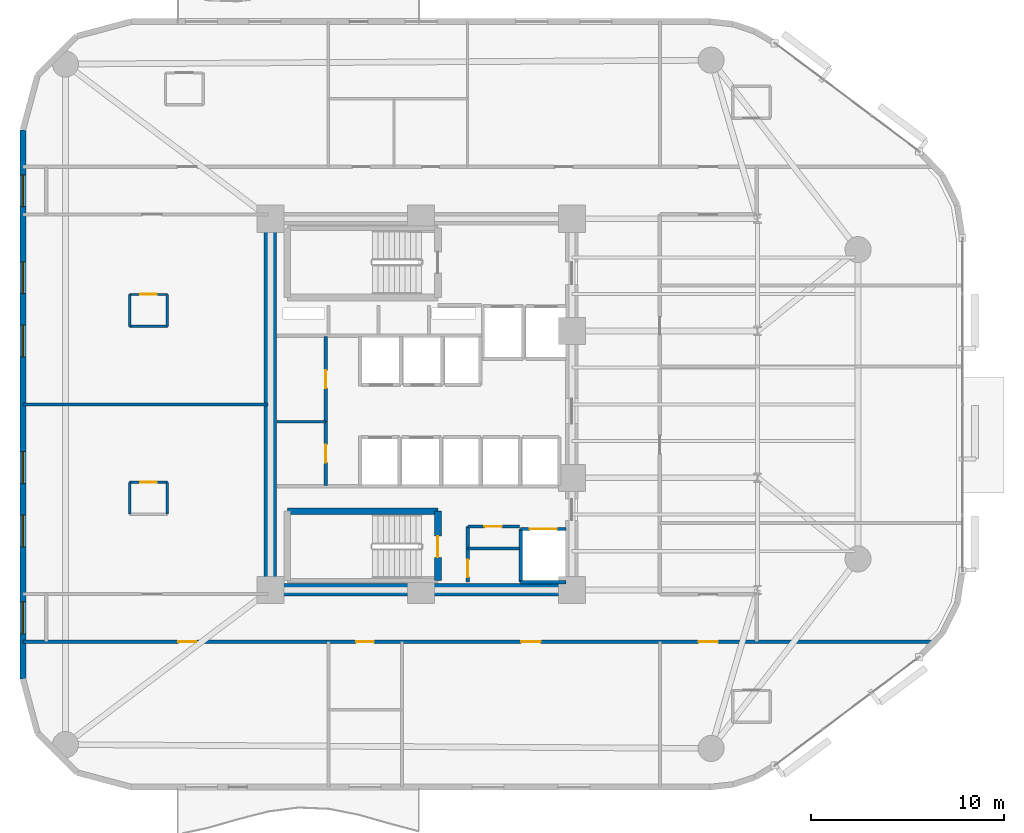
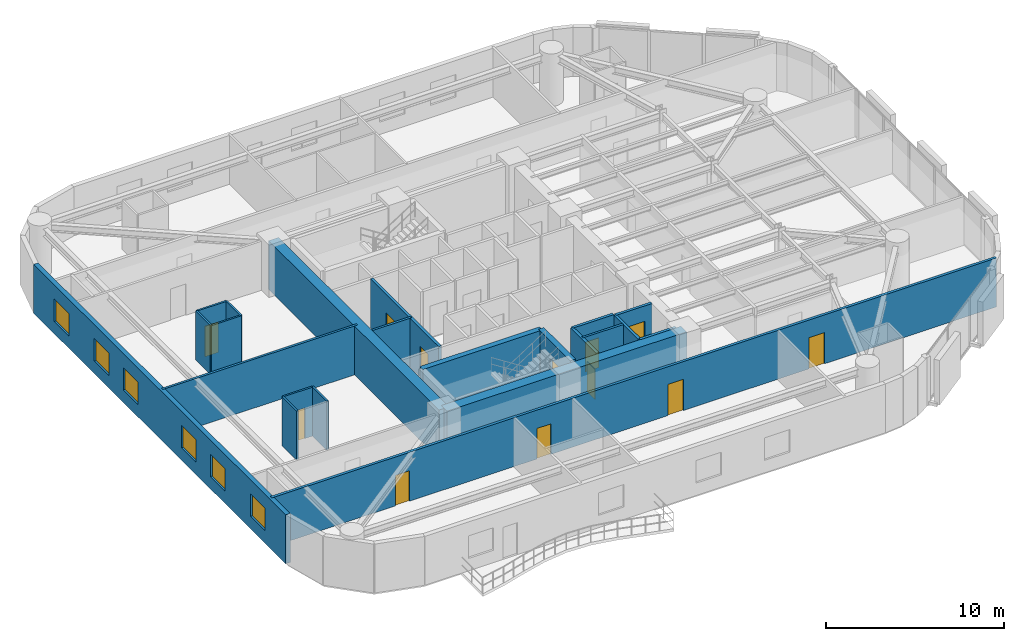
# One storey, part 10 of 15: 23 walls, 12 doors, 6 windows, 18 openings.
"""IFC4 building model written with IfcOpenShell, lengths in metres."""

from ifc_helpers import new_model, si_unit, direction, frame, frame_2d, origin, place, context, subcontext, project, spatial, rectangle, extrude, material, layer, layer_set, type_object, element, fill, save


model = new_model("IFC4")

# Units and contexts
model_context = context("Model", 3, precision=1e-05, world=origin(), true_north=direction((0.0, 1.0)))
body_context = subcontext(model_context, "Body", "Model", "MODEL_VIEW")
ifc_project = project(units=[si_unit("LENGTHUNIT", "METRE"), si_unit("AREAUNIT", "SQUARE_METRE"), si_unit("VOLUMEUNIT", "CUBIC_METRE"), si_unit("PLANEANGLEUNIT", "RADIAN"), si_unit("MASSUNIT", "GRAM", prefix="KILO")], contexts=[model_context])

# Site, building, storey
site_placement = place(None, origin())
site = spatial("IfcSite", under=ifc_project, at=site_placement, CompositionType="ELEMENT")
building_placement = place(site_placement, origin())
building = spatial("IfcBuilding", under=site, at=building_placement, Name="An Khanh Terracotta Commons", CompositionType="ELEMENT")
storey_placement = place(building_placement, frame((0.0, 0.0, 129.5)))
storey = spatial("IfcBuildingStorey", under=building, at=storey_placement, Name="L34", CompositionType="ELEMENT", Elevation=129.5)

# Walls
ifc_material_1 = material(Name="Concrete C60/75", Category="concrete")
ifc_layer_1 = layer(ifc_material_1, 0.64990234375, Name="Concrete C60/75")
ifc_layer_set_1 = layer_set([ifc_layer_1], Name="Concrete C60/75")
wall_type_1 = type_object("IfcWallType", Name="WALL-CORE-650", PredefinedType="SHEAR", material=ifc_layer_set_1)
wall_1_placement = place(storey_placement, frame((21.60009765625, 14.39990234375, 0.0), z_axis=(0.0, 0.0, 1.0), x_axis=(0.0, 1.0, 0.0)))
element("IfcWall", 1, at=wall_1_placement, inside=storey, type_object=wall_type_1, Name="L34 Core Wall CWALL-L34-W", PredefinedType="SHEAR", context=body_context, shape_type="SweptSolid", body=[
    extrude(rectangle(XDim=19.2001953125, YDim=0.64990234375, at=frame_2d((9.60009765625, 0.0))), origin(), (0.0, 0.0, 1.0), 3.360107421875),
])
wall_2_placement = place(storey_placement, frame((37.199951171875, 14.39990234375, 0.0), z_axis=(0.0, 0.0, 1.0), x_axis=(-1.0, 0.0, 0.0)))
element("IfcWall", 2, at=wall_2_placement, inside=storey, type_object=wall_type_1, Name="L34 Core Wall CWALL-L34-S", PredefinedType="SHEAR", context=body_context, shape_type="SweptSolid", body=[
    extrude(rectangle(XDim=15.599853515625, YDim=0.64990234375, at=frame_2d((7.7998046875, 0.0))), origin(), (0.0, 0.0, 1.0), 3.360107421875),
])

# Wall, opening, door
ifc_material_2 = material(Name="Fire-Rated Gypsum Board on Steel Stud", Category="steel")
ifc_layer_2 = layer(ifc_material_2, 0.179931640625, Name="Fire-Rated Gypsum Board on Steel Stud")
ifc_layer_set_2 = layer_set([ifc_layer_2], Name="Fire-Rated Gypsum Board on Steel Stud")
wall_type_2 = type_object("IfcWallType", Name="WALL-CORR-180", PredefinedType="PARTITIONING", material=ifc_layer_set_2)
wall_3_placement = place(storey_placement, frame((31.820068359375, 17.679931640625, 0.0), z_axis=(0.0, 0.0, 1.0), x_axis=(1.0, 0.0, 0.0)))
wall_3 = element("IfcWall", 3, at=wall_3_placement, inside=storey, type_object=wall_type_2, Name="L34 Core Wall SSVCW-L34-N", PredefinedType="PARTITIONING", context=body_context, shape_type="SweptSolid", body=[
    extrude(rectangle(XDim=2.659912109375, YDim=0.179931640625, at=frame_2d((1.330078125, 0.0))), origin(), (0.0, 0.0, 1.0), 3.360107421875),
])
opening_1_placement = place(wall_3_placement, frame((0.85009765625, 0.0, 0.0)))
opening_1 = element("IfcOpeningElement", 4, at=opening_1_placement, cuts=wall_3, Name="Opening D-SV", PredefinedType="OPENING", context=body_context, shape_type="SweptSolid", body=[
    extrude(rectangle(XDim=0.89990234375, YDim=2.050048828125, at=frame_2d((0.449951171875, 1.02490234375))), frame((0.0, 0.099853515625, 0.0), z_axis=(0.0, -1.0, 0.0), x_axis=(1.0, 0.0, 0.0)), (0.0, 0.0, 1.0), 0.199951171875),
])
ifc_material_3 = material(Name="Fire-Rated Powder-Coated Steel Door", Category="steel")
door_type_1 = type_object("IfcDoorType", Name="DOOR-SERV-900", OperationType="NOTDEFINED", PredefinedType="DOOR", material=ifc_material_3)
door_1_placement = place(opening_1_placement, origin())
door_1 = element("IfcDoor", 5, at=door_1_placement, inside=storey, type_object=door_type_1, Name="L34 Core Cleaner Store Door", OperationType="SINGLE_SWING_RIGHT", OverallHeight=2.050048828125, OverallWidth=0.89990234375, PredefinedType="DOOR", context=body_context, shape_type="SweptSolid", body=[
    extrude(rectangle(XDim=0.89990234375, YDim=2.050048828125, at=frame_2d((0.449951171875, 1.02490234375))), frame((0.0, 0.02490234375, 0.0), z_axis=(0.0, -1.0, 0.0), x_axis=(1.0, 0.0, 0.0)), (0.0, 0.0, 1.0), 0.050048828125),
])
fill(opening_1, door_1)

wall_4_placement = place(storey_placement, frame((31.820068359375, 14.800048828125, 0.0), z_axis=(0.0, 0.0, 1.0), x_axis=(0.0, 1.0, 0.0)))
wall_4 = element("IfcWall", 6, at=wall_4_placement, inside=storey, type_object=wall_type_2, Name="L34 Core Wall SSVCW-L34-W", PredefinedType="PARTITIONING", context=body_context, shape_type="SweptSolid", body=[
    extrude(rectangle(XDim=2.8798828125, YDim=0.179931640625, at=frame_2d((1.43994140625, 0.0))), origin(), (0.0, 0.0, 1.0), 3.360107421875),
])
opening_2_placement = place(wall_4_placement, frame((0.260009765625, 0.0, 0.0)))
opening_2 = element("IfcOpeningElement", 7, at=opening_2_placement, cuts=wall_4, Name="Opening D-SV", PredefinedType="OPENING", context=body_context, shape_type="SweptSolid", body=[
    extrude(rectangle(XDim=0.89990234375, YDim=2.050048828125, at=frame_2d((0.449951171875, 1.02490234375))), frame((0.0, 0.099853515625, 0.0), z_axis=(0.0, -1.0, 0.0), x_axis=(1.0, 0.0, 0.0)), (0.0, 0.0, 1.0), 0.199951171875),
])
door_2_placement = place(opening_2_placement, origin())
door_2 = element("IfcDoor", 8, at=door_2_placement, inside=storey, type_object=door_type_1, Name="L34 Telecoms BMS Cupboard Door", OperationType="SINGLE_SWING_LEFT", OverallHeight=2.050048828125, OverallWidth=0.89990234375, PredefinedType="DOOR", context=body_context, shape_type="SweptSolid", body=[
    extrude(rectangle(XDim=0.89990234375, YDim=2.050048828125, at=frame_2d((0.449951171875, 1.02490234375))), frame((0.0, 0.02490234375, 0.0), z_axis=(0.0, -1.0, 0.0), x_axis=(1.0, 0.0, 0.0)), (0.0, 0.0, 1.0), 0.050048828125),
])
fill(opening_2, door_2)

wall_5_placement = place(storey_placement, frame((34.550048828125, 17.550048828125, 0.0), z_axis=(0.0, 0.0, 1.0), x_axis=(1.0, 0.0, 0.0)))
wall_5 = element("IfcWall", 9, at=wall_5_placement, inside=storey, type_object=wall_type_2, Name="L34 Core Wall LSH-L34-SVL-01-N", PredefinedType="PARTITIONING", context=body_context, shape_type="SweptSolid", body=[
    extrude(rectangle(XDim=2.349853515625, YDim=0.179931640625, at=frame_2d((1.1748046875, 0.0))), origin(), (0.0, 0.0, 1.0), 3.360107421875),
])
opening_3_placement = place(wall_5_placement, frame((0.47509765625, 0.0, 0.0)))
opening_3 = element("IfcOpeningElement", 10, at=opening_3_placement, cuts=wall_5, Name="Opening LD-SVL-01-L34", PredefinedType="OPENING", context=body_context, shape_type="SweptSolid", body=[
    extrude(rectangle(XDim=1.39990234375, YDim=2.300048828125, at=frame_2d((0.699951171875, 1.14990234375))), frame((0.0, 0.099853515625, 0.0), z_axis=(0.0, -1.0, 0.0), x_axis=(1.0, 0.0, 0.0)), (0.0, 0.0, 1.0), 0.199951171875),
])
ifc_material_4 = material(Name="Heavy-Duty Stainless Steel Goods Landing Door", Category="steel")
door_type_2 = type_object("IfcDoorType", Name="DOOR-LD-SVL-1400", OperationType="NOTDEFINED", PredefinedType="DOOR", material=ifc_material_4)
door_3_placement = place(opening_3_placement, origin())
door_3 = element("IfcDoor", 11, at=door_3_placement, inside=storey, type_object=door_type_2, Name="L34 Lift SVL-01 Sliding Landing Door", OperationType="DOUBLE_DOOR_SLIDING", OverallHeight=2.300048828125, OverallWidth=1.39990234375, PredefinedType="DOOR", context=body_context, shape_type="SweptSolid", body=[
    extrude(rectangle(XDim=1.39990234375, YDim=2.300048828125, at=frame_2d((0.699951171875, 1.14990234375))), frame((0.0, 0.02490234375, 0.0), z_axis=(0.0, -1.0, 0.0), x_axis=(1.0, 0.0, 0.0)), (0.0, 0.0, 1.0), 0.050048828125),
])
fill(opening_3, door_3)

# Walls
wall_6_placement = place(storey_placement, frame((36.89990234375, 14.800048828125, 0.0), z_axis=(0.0, 0.0, 1.0), x_axis=(-1.0, 0.0, 0.0)))
element("IfcWall", 12, at=wall_6_placement, inside=storey, type_object=wall_type_2, Name="L34 Core Wall LSH-L34-SVL-01-S", PredefinedType="PARTITIONING", context=body_context, shape_type="SweptSolid", body=[
    extrude(rectangle(XDim=2.349853515625, YDim=0.179931640625, at=frame_2d((1.1748046875, 0.0))), origin(), (0.0, 0.0, 1.0), 3.360107421875),
])
wall_7_placement = place(storey_placement, frame((34.550048828125, 17.550048828125, 0.0), z_axis=(0.0, 0.0, 1.0), x_axis=(0.0, -1.0, 0.0)))
element("IfcWall", 13, at=wall_7_placement, inside=storey, type_object=wall_type_2, Name="L34 Core Wall LSH-L34-SVL-01-W", PredefinedType="PARTITIONING", context=body_context, shape_type="SweptSolid", body=[
    extrude(rectangle(XDim=2.75, YDim=0.179931640625, at=frame_2d((1.375, 0.0))), origin(), (0.0, 0.0, 1.0), 3.360107421875),
])

# Wall, opening, door
wall_8_placement = place(storey_placement, frame((24.4599609375, 23.10009765625, 0.0), z_axis=(0.0, 0.0, 1.0), x_axis=(0.0, 1.0, 0.0)))
wall_8 = element("IfcWall", 14, at=wall_8_placement, inside=storey, type_object=wall_type_2, Name="L34 Core Wall RECW-L34-E1", PredefinedType="PARTITIONING", context=body_context, shape_type="SweptSolid", body=[
    extrude(rectangle(XDim=4.39990234375, YDim=0.179931640625, at=frame_2d((2.199951171875, 0.0))), origin(), (0.0, 0.0, 1.0), 3.360107421875),
])
opening_4_placement = place(wall_8_placement, frame((1.739990234375, 0.0, 0.0)))
opening_4 = element("IfcOpeningElement", 15, at=opening_4_placement, cuts=wall_8, Name="Opening D-RM", PredefinedType="OPENING", context=body_context, shape_type="SweptSolid", body=[
    extrude(rectangle(XDim=0.919921875, YDim=2.10009765625, at=frame_2d((0.4599609375, 1.050048828125))), frame((0.0, 0.099853515625, 0.0), z_axis=(0.0, -1.0, 0.0), x_axis=(1.0, 0.0, 0.0)), (0.0, 0.0, 1.0), 0.199951171875),
])
ifc_material_5 = material(Name="Engineered Hardwood Timber Leaf", Category="wood")
door_type_3 = type_object("IfcDoorType", Name="DOOR-INT-920", OperationType="NOTDEFINED", PredefinedType="DOOR", material=ifc_material_5)
door_4_placement = place(opening_4_placement, origin())
door_4 = element("IfcDoor", 16, at=door_4_placement, inside=storey, type_object=door_type_3, Name="L34 Housekeeping Linen Room Door", OperationType="SINGLE_SWING_RIGHT", OverallHeight=2.10009765625, OverallWidth=0.919921875, PredefinedType="DOOR", context=body_context, shape_type="SweptSolid", body=[
    extrude(rectangle(XDim=0.919921875, YDim=2.10009765625, at=frame_2d((0.4599609375, 1.050048828125))), frame((0.0, 0.02490234375, 0.0), z_axis=(0.0, -1.0, 0.0), x_axis=(1.0, 0.0, 0.0)), (0.0, 0.0, 1.0), 0.050048828125),
])
fill(opening_4, door_4)

wall_9_placement = place(storey_placement, frame((24.4599609375, 19.800048828125, 0.0), z_axis=(0.0, 0.0, 1.0), x_axis=(0.0, 1.0, 0.0)))
wall_9 = element("IfcWall", 17, at=wall_9_placement, inside=storey, type_object=wall_type_2, Name="L34 Core Wall RECW-L34-E2", PredefinedType="PARTITIONING", context=body_context, shape_type="SweptSolid", body=[
    extrude(rectangle(XDim=3.300048828125, YDim=0.179931640625, at=frame_2d((1.64990234375, 0.0))), origin(), (0.0, 0.0, 1.0), 3.360107421875),
])
opening_5_placement = place(wall_9_placement, frame((1.18994140625, 0.0, 0.0)))
opening_5 = element("IfcOpeningElement", 18, at=opening_5_placement, cuts=wall_9, Name="Opening D-RM", PredefinedType="OPENING", context=body_context, shape_type="SweptSolid", body=[
    extrude(rectangle(XDim=0.919921875, YDim=2.10009765625, at=frame_2d((0.4599609375, 1.050048828125))), frame((0.0, 0.099853515625, 0.0), z_axis=(0.0, -1.0, 0.0), x_axis=(1.0, 0.0, 0.0)), (0.0, 0.0, 1.0), 0.199951171875),
])
door_5_placement = place(opening_5_placement, origin())
door_5 = element("IfcDoor", 19, at=door_5_placement, inside=storey, type_object=door_type_3, Name="L34 Quiet Focus Booth Door", OperationType="SINGLE_SWING_LEFT", OverallHeight=2.10009765625, OverallWidth=0.919921875, PredefinedType="DOOR", context=body_context, shape_type="SweptSolid", body=[
    extrude(rectangle(XDim=0.919921875, YDim=2.10009765625, at=frame_2d((0.4599609375, 1.050048828125))), frame((0.0, 0.02490234375, 0.0), z_axis=(0.0, -1.0, 0.0), x_axis=(1.0, 0.0, 0.0)), (0.0, 0.0, 1.0), 0.050048828125),
])
fill(opening_5, door_5)

# Wall, openings, doors
wall_10_placement = place(storey_placement, frame((8.800048828125, 11.719970703125, 0.0), z_axis=(0.0, 0.0, 1.0), x_axis=(1.0, 0.0, 0.0)))
wall_10 = element("IfcWall", 20, at=wall_10_placement, inside=storey, type_object=wall_type_2, Name="L34 Interior Partition IW-L34-E002", PredefinedType="PARTITIONING", context=body_context, shape_type="SweptSolid", body=[
    extrude(rectangle(XDim=47.140869140625, YDim=0.179931640625, at=frame_2d((23.5703125, 0.0))), origin(), (0.0, 0.0, 1.0), 3.360107421875),
])
opening_6_placement = place(wall_10_placement, frame((17.239990234375, 0.0, 0.0)))
opening_6 = element("IfcOpeningElement", 21, at=opening_6_placement, cuts=wall_10, Name="Opening D-RM", PredefinedType="OPENING", context=body_context, shape_type="SweptSolid", body=[
    extrude(rectangle(XDim=0.919921875, YDim=2.10009765625, at=frame_2d((0.4599609375, 1.050048828125))), frame((0.0, 0.099853515625, 0.0), z_axis=(0.0, -1.0, 0.0), x_axis=(1.0, 0.0, 0.0)), (0.0, 0.0, 1.0), 0.199951171875),
])
opening_7_placement = place(wall_10_placement, frame((34.949951171875, 0.0, 0.0)))
opening_7 = element("IfcOpeningElement", 22, at=opening_7_placement, cuts=wall_10, Name="Opening D-UN", PredefinedType="OPENING", context=body_context, shape_type="SweptSolid", body=[
    extrude(rectangle(XDim=1.0, YDim=2.14990234375, at=frame_2d((0.5, 1.074951171875))), frame((0.0, 0.099853515625, 0.0), z_axis=(0.0, -1.0, 0.0), x_axis=(1.0, 0.0, 0.0)), (0.0, 0.0, 1.0), 0.199951171875),
])
opening_8_placement = place(wall_10_placement, frame((8.0400390625, 0.0, 0.0)))
opening_8 = element("IfcOpeningElement", 23, at=opening_8_placement, cuts=wall_10, Name="Opening D-RM", PredefinedType="OPENING", context=body_context, shape_type="SweptSolid", body=[
    extrude(rectangle(XDim=0.919921875, YDim=2.10009765625, at=frame_2d((0.4599609375, 1.050048828125))), frame((0.0, 0.099853515625, 0.0), z_axis=(0.0, -1.0, 0.0), x_axis=(1.0, 0.0, 0.0)), (0.0, 0.0, 1.0), 0.199951171875),
])
opening_9_placement = place(wall_10_placement, frame((25.77490234375, 0.0, 0.0)))
opening_9 = element("IfcOpeningElement", 24, at=opening_9_placement, cuts=wall_10, Name="Opening D-UN", PredefinedType="OPENING", context=body_context, shape_type="SweptSolid", body=[
    extrude(rectangle(XDim=1.0, YDim=2.14990234375, at=frame_2d((0.5, 1.074951171875))), frame((0.0, 0.099853515625, 0.0), z_axis=(0.0, -1.0, 0.0), x_axis=(1.0, 0.0, 0.0)), (0.0, 0.0, 1.0), 0.199951171875),
])
door_6_placement = place(opening_6_placement, origin())
door_6 = element("IfcDoor", 25, at=door_6_placement, inside=storey, type_object=door_type_3, Name="L34 HKP Housekeeping Linen Store Door", OperationType="SINGLE_SWING_LEFT", OverallHeight=2.10009765625, OverallWidth=0.919921875, PredefinedType="DOOR", context=body_context, shape_type="SweptSolid", body=[
    extrude(rectangle(XDim=0.919921875, YDim=2.10009765625, at=frame_2d((0.4599609375, 1.050048828125))), frame((0.0, 0.02490234375, 0.0), z_axis=(0.0, -1.0, 0.0), x_axis=(1.0, 0.0, 0.0)), (0.0, 0.0, 1.0), 0.050048828125),
])
fill(opening_6, door_6)
door_7_placement = place(opening_8_placement, origin())
door_7 = element("IfcDoor", 26, at=door_7_placement, inside=storey, type_object=door_type_3, Name="L34 SW1 Music Practice Room Door", OperationType="SINGLE_SWING_RIGHT", OverallHeight=2.10009765625, OverallWidth=0.919921875, PredefinedType="DOOR", context=body_context, shape_type="SweptSolid", body=[
    extrude(rectangle(XDim=0.919921875, YDim=2.10009765625, at=frame_2d((0.4599609375, 1.050048828125))), frame((0.0, 0.02490234375, 0.0), z_axis=(0.0, -1.0, 0.0), x_axis=(1.0, 0.0, 0.0)), (0.0, 0.0, 1.0), 0.050048828125),
])
fill(opening_8, door_7)
ifc_material_6 = material(Name="Solid-Core Hardwood Acoustic Fire Door", Category="wood")
door_type_4 = type_object("IfcDoorType", Name="DOOR-UNIT-1000", OperationType="NOTDEFINED", PredefinedType="DOOR", material=ifc_material_6)
door_8_placement = place(opening_7_placement, origin())
door_8 = element("IfcDoor", 27, at=door_8_placement, inside=storey, type_object=door_type_4, Name="L34 FANS Kitchenette and Studio Apartment Door", OperationType="SINGLE_SWING_LEFT", OverallHeight=2.14990234375, OverallWidth=1.0, PredefinedType="DOOR", context=body_context, shape_type="SweptSolid", body=[
    extrude(rectangle(XDim=1.0, YDim=2.14990234375, at=frame_2d((0.5, 1.074951171875))), frame((0.0, 0.02490234375, 0.0), z_axis=(0.0, -1.0, 0.0), x_axis=(1.0, 0.0, 0.0)), (0.0, 0.0, 1.0), 0.050048828125),
])
fill(opening_7, door_8)
door_9_placement = place(opening_9_placement, origin())
door_9 = element("IfcDoor", 28, at=door_9_placement, inside=storey, type_object=door_type_4, Name="L34 SWE Yoga Studio Door", OperationType="SINGLE_SWING_LEFT", OverallHeight=2.14990234375, OverallWidth=1.0, PredefinedType="DOOR", context=body_context, shape_type="SweptSolid", body=[
    extrude(rectangle(XDim=1.0, YDim=2.14990234375, at=frame_2d((0.5, 1.074951171875))), frame((0.0, 0.02490234375, 0.0), z_axis=(0.0, -1.0, 0.0), x_axis=(1.0, 0.0, 0.0)), (0.0, 0.0, 1.0), 0.050048828125),
])
fill(opening_9, door_9)

# Wall, openings, windows
ifc_material_7 = material(Name="Precast concrete C40/50", Category="concrete")
ifc_layer_3 = layer(ifc_material_7, 0.300048828125, Name="Precast concrete C40/50")
ifc_layer_set_3 = layer_set([ifc_layer_3], Name="Precast concrete C40/50")
wall_type_3 = type_object("IfcWallType", Name="WALL-EXT-300", PredefinedType="SOLIDWALL", material=ifc_layer_set_3)
wall_11_placement = place(storey_placement, frame((8.800048828125, 38.199951171875, 0.0), z_axis=(0.0, 0.0, 1.0), x_axis=(0.0, -1.0, 0.0)))
wall_11 = element("IfcWall", 29, at=wall_11_placement, inside=storey, type_object=wall_type_3, Name="L34 Insulated Terracotta Exterior Wall 24", PredefinedType="SOLIDWALL", context=body_context, shape_type="SweptSolid", body=[
    extrude(rectangle(XDim=28.39990234375, YDim=0.300048828125, at=frame_2d((14.199951171875, 0.0))), origin(), (0.0, 0.0, 1.0), 3.360107421875),
])
opening_10_placement = place(wall_11_placement, frame((2.324951171875, 0.0, 0.85009765625)))
opening_10 = element("IfcOpeningElement", 30, at=opening_10_placement, cuts=wall_11, Name="Opening W-02", PredefinedType="OPENING", context=body_context, shape_type="SweptSolid", body=[
    extrude(rectangle(XDim=1.64990234375, YDim=1.550048828125, at=frame_2d((0.824951171875, 0.77490234375))), frame((0.0, 0.159912109375, 0.0), z_axis=(0.0, -1.0, 0.0), x_axis=(1.0, 0.0, 0.0)), (0.0, 0.0, 1.0), 0.320068359375),
])
opening_11_placement = place(wall_11_placement, frame((6.827880859375, 0.0, 0.85009765625)))
opening_11 = element("IfcOpeningElement", 31, at=opening_11_placement, cuts=wall_11, Name="Opening W-02", PredefinedType="OPENING", context=body_context, shape_type="SweptSolid", body=[
    extrude(rectangle(XDim=1.64990234375, YDim=1.550048828125, at=frame_2d((0.824951171875, 0.77490234375))), frame((0.0, 0.159912109375, 0.0), z_axis=(0.0, -1.0, 0.0), x_axis=(1.0, 0.0, 0.0)), (0.0, 0.0, 1.0), 0.320068359375),
])
opening_12_placement = place(wall_11_placement, frame((10.10205078125, 0.0, 0.85009765625)))
opening_12 = element("IfcOpeningElement", 32, at=opening_12_placement, cuts=wall_11, Name="Opening W-02", PredefinedType="OPENING", context=body_context, shape_type="SweptSolid", body=[
    extrude(rectangle(XDim=1.64990234375, YDim=1.550048828125, at=frame_2d((0.824951171875, 0.77490234375))), frame((0.0, 0.159912109375, 0.0), z_axis=(0.0, -1.0, 0.0), x_axis=(1.0, 0.0, 0.0)), (0.0, 0.0, 1.0), 0.320068359375),
])
opening_13_placement = place(wall_11_placement, frame((16.64794921875, 0.0, 0.85009765625)))
opening_13 = element("IfcOpeningElement", 33, at=opening_13_placement, cuts=wall_11, Name="Opening W-02", PredefinedType="OPENING", context=body_context, shape_type="SweptSolid", body=[
    extrude(rectangle(XDim=1.64990234375, YDim=1.550048828125, at=frame_2d((0.824951171875, 0.77490234375))), frame((0.0, 0.159912109375, 0.0), z_axis=(0.0, -1.0, 0.0), x_axis=(1.0, 0.0, 0.0)), (0.0, 0.0, 1.0), 0.320068359375),
])
opening_14_placement = place(wall_11_placement, frame((19.922119140625, 0.0, 0.85009765625)))
opening_14 = element("IfcOpeningElement", 34, at=opening_14_placement, cuts=wall_11, Name="Opening W-02", PredefinedType="OPENING", context=body_context, shape_type="SweptSolid", body=[
    extrude(rectangle(XDim=1.64990234375, YDim=1.550048828125, at=frame_2d((0.824951171875, 0.77490234375))), frame((0.0, 0.159912109375, 0.0), z_axis=(0.0, -1.0, 0.0), x_axis=(1.0, 0.0, 0.0)), (0.0, 0.0, 1.0), 0.320068359375),
])
opening_15_placement = place(wall_11_placement, frame((24.425048828125, 0.0, 0.85009765625)))
opening_15 = element("IfcOpeningElement", 35, at=opening_15_placement, cuts=wall_11, Name="Opening W-02", PredefinedType="OPENING", context=body_context, shape_type="SweptSolid", body=[
    extrude(rectangle(XDim=1.64990234375, YDim=1.550048828125, at=frame_2d((0.824951171875, 0.77490234375))), frame((0.0, 0.159912109375, 0.0), z_axis=(0.0, -1.0, 0.0), x_axis=(1.0, 0.0, 0.0)), (0.0, 0.0, 1.0), 0.320068359375),
])
ifc_material_8 = material(Name="Thermally Broken Aluminium and Low-E Glass", Category="aluminium")
window_type = type_object("IfcWindowType", Name="WIN-Z2-1650x1550", PartitioningType="DOUBLE_PANEL_VERTICAL", PredefinedType="WINDOW", material=ifc_material_8)
window_1_placement = place(opening_10_placement, origin())
window_1 = element("IfcWindow", 36, at=window_1_placement, inside=storey, type_object=window_type, Name="L34 Operable Casement Window 24.1", OverallHeight=1.550048828125, OverallWidth=1.64990234375, PartitioningType="DOUBLE_PANEL_VERTICAL", PredefinedType="WINDOW", context=body_context, shape_type="SweptSolid", body=[
    extrude(rectangle(XDim=1.64990234375, YDim=1.550048828125, at=frame_2d((0.824951171875, 0.77490234375))), frame((0.0, 0.030029296875, 0.0), z_axis=(0.0, -1.0, 0.0), x_axis=(1.0, 0.0, 0.0)), (0.0, 0.0, 1.0), 0.06005859375),
])
fill(opening_10, window_1)
window_2_placement = place(opening_11_placement, origin())
window_2 = element("IfcWindow", 37, at=window_2_placement, inside=storey, type_object=window_type, Name="L34 Operable Casement Window 24.2", OverallHeight=1.550048828125, OverallWidth=1.64990234375, PartitioningType="DOUBLE_PANEL_VERTICAL", PredefinedType="WINDOW", context=body_context, shape_type="SweptSolid", body=[
    extrude(rectangle(XDim=1.64990234375, YDim=1.550048828125, at=frame_2d((0.824951171875, 0.77490234375))), frame((0.0, 0.030029296875, 0.0), z_axis=(0.0, -1.0, 0.0), x_axis=(1.0, 0.0, 0.0)), (0.0, 0.0, 1.0), 0.06005859375),
])
fill(opening_11, window_2)
window_3_placement = place(opening_12_placement, origin())
window_3 = element("IfcWindow", 38, at=window_3_placement, inside=storey, type_object=window_type, Name="L34 Operable Casement Window 24.3", OverallHeight=1.550048828125, OverallWidth=1.64990234375, PartitioningType="DOUBLE_PANEL_VERTICAL", PredefinedType="WINDOW", context=body_context, shape_type="SweptSolid", body=[
    extrude(rectangle(XDim=1.64990234375, YDim=1.550048828125, at=frame_2d((0.824951171875, 0.77490234375))), frame((0.0, 0.030029296875, 0.0), z_axis=(0.0, -1.0, 0.0), x_axis=(1.0, 0.0, 0.0)), (0.0, 0.0, 1.0), 0.06005859375),
])
fill(opening_12, window_3)
window_4_placement = place(opening_13_placement, origin())
window_4 = element("IfcWindow", 39, at=window_4_placement, inside=storey, type_object=window_type, Name="L34 Operable Casement Window 24.4", OverallHeight=1.550048828125, OverallWidth=1.64990234375, PartitioningType="DOUBLE_PANEL_VERTICAL", PredefinedType="WINDOW", context=body_context, shape_type="SweptSolid", body=[
    extrude(rectangle(XDim=1.64990234375, YDim=1.550048828125, at=frame_2d((0.824951171875, 0.77490234375))), frame((0.0, 0.030029296875, 0.0), z_axis=(0.0, -1.0, 0.0), x_axis=(1.0, 0.0, 0.0)), (0.0, 0.0, 1.0), 0.06005859375),
])
fill(opening_13, window_4)
window_5_placement = place(opening_14_placement, origin())
window_5 = element("IfcWindow", 40, at=window_5_placement, inside=storey, type_object=window_type, Name="L34 Operable Casement Window 24.5", OverallHeight=1.550048828125, OverallWidth=1.64990234375, PartitioningType="DOUBLE_PANEL_VERTICAL", PredefinedType="WINDOW", context=body_context, shape_type="SweptSolid", body=[
    extrude(rectangle(XDim=1.64990234375, YDim=1.550048828125, at=frame_2d((0.824951171875, 0.77490234375))), frame((0.0, 0.030029296875, 0.0), z_axis=(0.0, -1.0, 0.0), x_axis=(1.0, 0.0, 0.0)), (0.0, 0.0, 1.0), 0.06005859375),
])
fill(opening_14, window_5)
window_6_placement = place(opening_15_placement, origin())
window_6 = element("IfcWindow", 41, at=window_6_placement, inside=storey, type_object=window_type, Name="L34 Operable Casement Window 24.6", OverallHeight=1.550048828125, OverallWidth=1.64990234375, PartitioningType="DOUBLE_PANEL_VERTICAL", PredefinedType="WINDOW", context=body_context, shape_type="SweptSolid", body=[
    extrude(rectangle(XDim=1.64990234375, YDim=1.550048828125, at=frame_2d((0.824951171875, 0.77490234375))), frame((0.0, 0.030029296875, 0.0), z_axis=(0.0, -1.0, 0.0), x_axis=(1.0, 0.0, 0.0)), (0.0, 0.0, 1.0), 0.06005859375),
])
fill(opening_15, window_6)

# Walls
ifc_material_9 = material(Name="Acoustic Gypsum Board Partition")
ifc_layer_4 = layer(ifc_material_9, 0.14990234375, Name="Acoustic Gypsum Board Partition")
ifc_layer_set_4 = layer_set([ifc_layer_4], Name="Acoustic Gypsum Board Partition")
wall_type_4 = type_object("IfcWallType", Name="WALL-PART-150", PredefinedType="PARTITIONING", material=ifc_layer_set_4)
wall_12_placement = place(storey_placement, frame((31.820068359375, 16.550048828125, 0.0), z_axis=(0.0, 0.0, 1.0), x_axis=(1.0, 0.0, 0.0)))
element("IfcWall", 42, at=wall_12_placement, inside=storey, type_object=wall_type_4, Name="L34 Core Wall SSVCW-L34-M", PredefinedType="PARTITIONING", context=body_context, shape_type="SweptSolid", body=[
    extrude(rectangle(XDim=2.659912109375, YDim=0.14990234375, at=frame_2d((1.330078125, 0.0))), origin(), (0.0, 0.0, 1.0), 3.360107421875),
])
wall_13_placement = place(storey_placement, frame((21.949951171875, 23.10009765625, 0.0), z_axis=(0.0, 0.0, 1.0), x_axis=(1.0, 0.0, 0.0)))
element("IfcWall", 43, at=wall_13_placement, inside=storey, type_object=wall_type_4, Name="L34 Core Wall RECW-L34-M", PredefinedType="PARTITIONING", context=body_context, shape_type="SweptSolid", body=[
    extrude(rectangle(XDim=2.510009765625, YDim=0.14990234375, at=frame_2d((1.2548828125, 0.0))), origin(), (0.0, 0.0, 1.0), 3.360107421875),
])
wall_14_placement = place(storey_placement, frame((8.800048828125, 24.0, 0.0), z_axis=(0.0, 0.0, 1.0), x_axis=(1.0, 0.0, 0.0)))
element("IfcWall", 44, at=wall_14_placement, inside=storey, type_object=wall_type_4, Name="L34 Interior Partition IW-L34-E006", PredefinedType="PARTITIONING", context=body_context, shape_type="SweptSolid", body=[
    extrude(rectangle(XDim=12.679931640625, YDim=0.14990234375, at=frame_2d((6.33984375, 0.0))), origin(), (0.0, 0.0, 1.0), 3.360107421875),
])
ifc_material_10 = material(Name="Concrete C50/60", Category="concrete")
ifc_layer_5 = layer(ifc_material_10, 0.35009765625, Name="Concrete C50/60")
ifc_layer_set_5 = layer_set([ifc_layer_5], Name="Concrete C50/60")
wall_type_5 = type_object("IfcWallType", Name="WALL-SHAFT-350", PredefinedType="SOLIDWALL", material=ifc_layer_set_5)
wall_15_placement = place(storey_placement, frame((22.47998046875, 18.469970703125, 0.0), z_axis=(0.0, 0.0, 1.0), x_axis=(1.0, 0.0, 0.0)))
element("IfcWall", 45, at=wall_15_placement, inside=storey, type_object=wall_type_5, Name="L34 Core Wall STW-L34-S-N", PredefinedType="SOLIDWALL", context=body_context, shape_type="SweptSolid", body=[
    extrude(rectangle(XDim=7.7900390625, YDim=0.35009765625, at=frame_2d((3.89501953125, 0.0))), origin(), (0.0, 0.0, 1.0), 3.360107421875),
])

# Wall, opening, door
wall_16_placement = place(storey_placement, frame((30.27001953125, 14.889892578125, 0.0), z_axis=(0.0, 0.0, 1.0), x_axis=(0.0, 1.0, 0.0)))
wall_16 = element("IfcWall", 46, at=wall_16_placement, inside=storey, type_object=wall_type_5, Name="L34 Core Wall STW-L34-S-E", PredefinedType="SOLIDWALL", context=body_context, shape_type="SweptSolid", body=[
    extrude(rectangle(XDim=3.580078125, YDim=0.35009765625, at=frame_2d((1.7900390625, 0.0))), origin(), (0.0, 0.0, 1.0), 3.360107421875),
])
opening_16_placement = place(wall_16_placement, frame((1.18994140625, 0.0, 0.0)))
opening_16 = element("IfcOpeningElement", 47, at=opening_16_placement, cuts=wall_16, Name="Opening D-ST", PredefinedType="OPENING", context=body_context, shape_type="SweptSolid", body=[
    extrude(rectangle(XDim=1.10009765625, YDim=2.14990234375, at=frame_2d((0.550048828125, 1.074951171875))), frame((0.0, 0.18505859375, 0.0), z_axis=(0.0, -1.0, 0.0), x_axis=(1.0, 0.0, 0.0)), (0.0, 0.0, 1.0), 0.3701171875),
])
ifc_material_11 = material(Name="Fire-Rated Steel Leaf and Frame", Category="steel")
door_type_5 = type_object("IfcDoorType", Name="DOOR-STAIR-1100", OperationType="NOTDEFINED", PredefinedType="DOOR", material=ifc_material_11)
door_10_placement = place(opening_16_placement, origin())
door_10 = element("IfcDoor", 48, at=door_10_placement, inside=storey, type_object=door_type_5, Name="L34 Stair ST-02 Fire Door", OperationType="SINGLE_SWING_LEFT", OverallHeight=2.14990234375, OverallWidth=1.10009765625, PredefinedType="DOOR", context=body_context, shape_type="SweptSolid", body=[
    extrude(rectangle(XDim=1.10009765625, YDim=2.14990234375, at=frame_2d((0.550048828125, 1.074951171875))), frame((0.0, 0.02490234375, 0.0), z_axis=(0.0, -1.0, 0.0), x_axis=(1.0, 0.0, 0.0)), (0.0, 0.0, 1.0), 0.050048828125),
])
fill(opening_16, door_10)

ifc_material_12 = material(Name="Moisture-Resistant Cement Board Partition")
ifc_layer_6 = layer(ifc_material_12, 0.1201171875, Name="Moisture-Resistant Cement Board Partition")
ifc_layer_set_6 = layer_set([ifc_layer_6], Name="Moisture-Resistant Cement Board Partition")
wall_type_6 = type_object("IfcWallType", Name="WALL-WET-120", PredefinedType="PARTITIONING", material=ifc_layer_set_6)
wall_17_placement = place(storey_placement, frame((14.324951171875, 19.965087890625, 0.0), z_axis=(0.0, 0.0, 1.0), x_axis=(1.0, 0.0, 0.0)))
wall_17 = element("IfcWall", 49, at=wall_17_placement, inside=storey, type_object=wall_type_6, Name="L34 Interior Partition IW-L34-WW1-BN", PredefinedType="PARTITIONING", context=body_context, shape_type="SweptSolid", body=[
    extrude(rectangle(XDim=1.949951171875, YDim=0.1201171875, at=frame_2d((0.97509765625, 0.0))), origin(), (0.0, 0.0, 1.0), 3.360107421875),
])
opening_17_placement = place(wall_17_placement, frame((0.544921875, 0.0, 0.0)))
opening_17 = element("IfcOpeningElement", 50, at=opening_17_placement, cuts=wall_17, Name="Opening D-ENS", PredefinedType="OPENING", context=body_context, shape_type="SweptSolid", body=[
    extrude(rectangle(XDim=0.860107421875, YDim=2.10009765625, at=frame_2d((0.43017578125, 1.050048828125))), frame((0.0, 0.070068359375, 0.0), z_axis=(0.0, -1.0, 0.0), x_axis=(1.0, 0.0, 0.0)), (0.0, 0.0, 1.0), 0.14013671875),
])
ifc_material_13 = material(Name="Moisture-Resistant Hardwood Timber Leaf", Category="wood")
door_type_6 = type_object("IfcDoorType", Name="DOOR-BATH-860", OperationType="NOTDEFINED", PredefinedType="DOOR", material=ifc_material_13)
door_11_placement = place(opening_17_placement, origin())
door_11 = element("IfcDoor", 51, at=door_11_placement, inside=storey, type_object=door_type_6, Name="L34 Studio WW1 En-suite Door", OperationType="SINGLE_SWING_LEFT", OverallHeight=2.10009765625, OverallWidth=0.860107421875, PredefinedType="DOOR", context=body_context, shape_type="SweptSolid", body=[
    extrude(rectangle(XDim=0.860107421875, YDim=2.10009765625, at=frame_2d((0.43017578125, 1.050048828125))), frame((0.0, 0.02490234375, 0.0), z_axis=(0.0, -1.0, 0.0), x_axis=(1.0, 0.0, 0.0)), (0.0, 0.0, 1.0), 0.050048828125),
])
fill(opening_17, door_11)

# Walls
for number, where, z_axis, x_axis, name in (
    (52, (14.324951171875, 19.965087890625, 0.0), (0.0, 0.0, 1.0), (0.0, -1.0, 0.0), "L34 Interior Partition IW-L34-WW1-BW"),
    (53, (16.27490234375, 18.31494140625, 0.0), (0.0, 0.0, 1.0), (0.0, 1.0, 0.0), "L34 Interior Partition IW-L34-WW1-BE"),
):
    element("IfcWall", number, at=place(storey_placement, frame(where, z_axis=z_axis, x_axis=x_axis)), inside=storey, type_object=wall_type_6, Name=name, PredefinedType="PARTITIONING", context=body_context, shape_type="SweptSolid", body=[
        extrude(rectangle(XDim=1.650146484375, YDim=0.1201171875, at=frame_2d((0.8251953125, 0.0))), origin(), (0.0, 0.0, 1.0), 3.360107421875),
    ])

# Wall, opening, door
wall_18_placement = place(storey_placement, frame((14.324951171875, 29.68505859375, 0.0), z_axis=(0.0, 0.0, 1.0), x_axis=(1.0, 0.0, 0.0)))
wall_18 = element("IfcWall", 54, at=wall_18_placement, inside=storey, type_object=wall_type_6, Name="L34 Interior Partition IW-L34-WW2-BN", PredefinedType="PARTITIONING", context=body_context, shape_type="SweptSolid", body=[
    extrude(rectangle(XDim=1.949951171875, YDim=0.1201171875, at=frame_2d((0.97509765625, 0.0))), origin(), (0.0, 0.0, 1.0), 3.360107421875),
])
opening_18_placement = place(wall_18_placement, frame((0.544921875, 0.0, 0.0)))
opening_18 = element("IfcOpeningElement", 55, at=opening_18_placement, cuts=wall_18, Name="Opening D-ENS", PredefinedType="OPENING", context=body_context, shape_type="SweptSolid", body=[
    extrude(rectangle(XDim=0.860107421875, YDim=2.10009765625, at=frame_2d((0.43017578125, 1.050048828125))), frame((0.0, 0.070068359375, 0.0), z_axis=(0.0, -1.0, 0.0), x_axis=(1.0, 0.0, 0.0)), (0.0, 0.0, 1.0), 0.14013671875),
])
door_12_placement = place(opening_18_placement, origin())
door_12 = element("IfcDoor", 56, at=door_12_placement, inside=storey, type_object=door_type_6, Name="L34 Studio WW2 En-suite Door", OperationType="SINGLE_SWING_RIGHT", OverallHeight=2.10009765625, OverallWidth=0.860107421875, PredefinedType="DOOR", context=body_context, shape_type="SweptSolid", body=[
    extrude(rectangle(XDim=0.860107421875, YDim=2.10009765625, at=frame_2d((0.43017578125, 1.050048828125))), frame((0.0, 0.02490234375, 0.0), z_axis=(0.0, -1.0, 0.0), x_axis=(1.0, 0.0, 0.0)), (0.0, 0.0, 1.0), 0.050048828125),
])
fill(opening_18, door_12)

# Walls
wall_19_placement = place(storey_placement, frame((16.27490234375, 28.034912109375, 0.0), z_axis=(0.0, 0.0, 1.0), x_axis=(-1.0, 0.0, 0.0)))
element("IfcWall", 57, at=wall_19_placement, inside=storey, type_object=wall_type_6, Name="L34 Interior Partition IW-L34-WW2-BS", PredefinedType="PARTITIONING", context=body_context, shape_type="SweptSolid", body=[
    extrude(rectangle(XDim=1.949951171875, YDim=0.1201171875, at=frame_2d((0.97509765625, 0.0))), origin(), (0.0, 0.0, 1.0), 3.360107421875),
])
for number, where, z_axis, x_axis, name in (
    (58, (14.324951171875, 29.68505859375, 0.0), (0.0, 0.0, 1.0), (0.0, -1.0, 0.0), "L34 Interior Partition IW-L34-WW2-BW"),
    (59, (16.27490234375, 28.034912109375, 0.0), (0.0, 0.0, 1.0), (0.0, 1.0, 0.0), "L34 Interior Partition IW-L34-WW2-BE"),
):
    element("IfcWall", number, at=place(storey_placement, frame(where, z_axis=z_axis, x_axis=x_axis)), inside=storey, type_object=wall_type_6, Name=name, PredefinedType="PARTITIONING", context=body_context, shape_type="SweptSolid", body=[
        extrude(rectangle(XDim=1.650146484375, YDim=0.1201171875, at=frame_2d((0.8251953125, 0.0))), origin(), (0.0, 0.0, 1.0), 3.360107421875),
    ])

save(model, "model.ifc")
